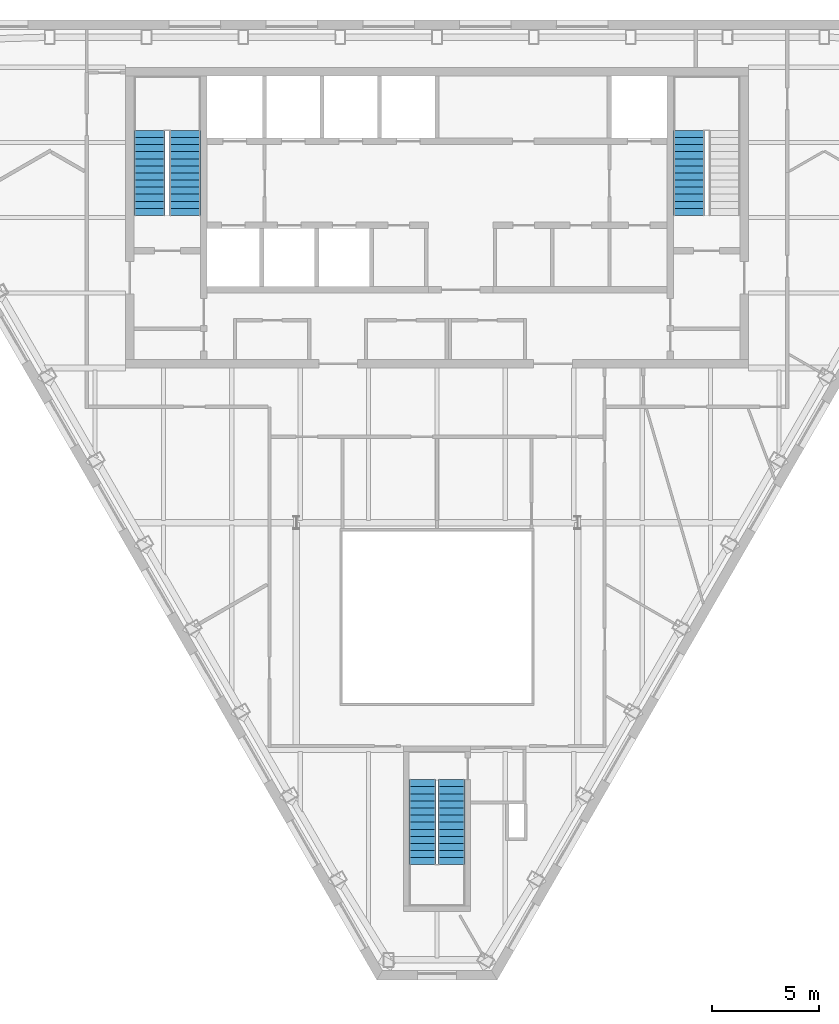
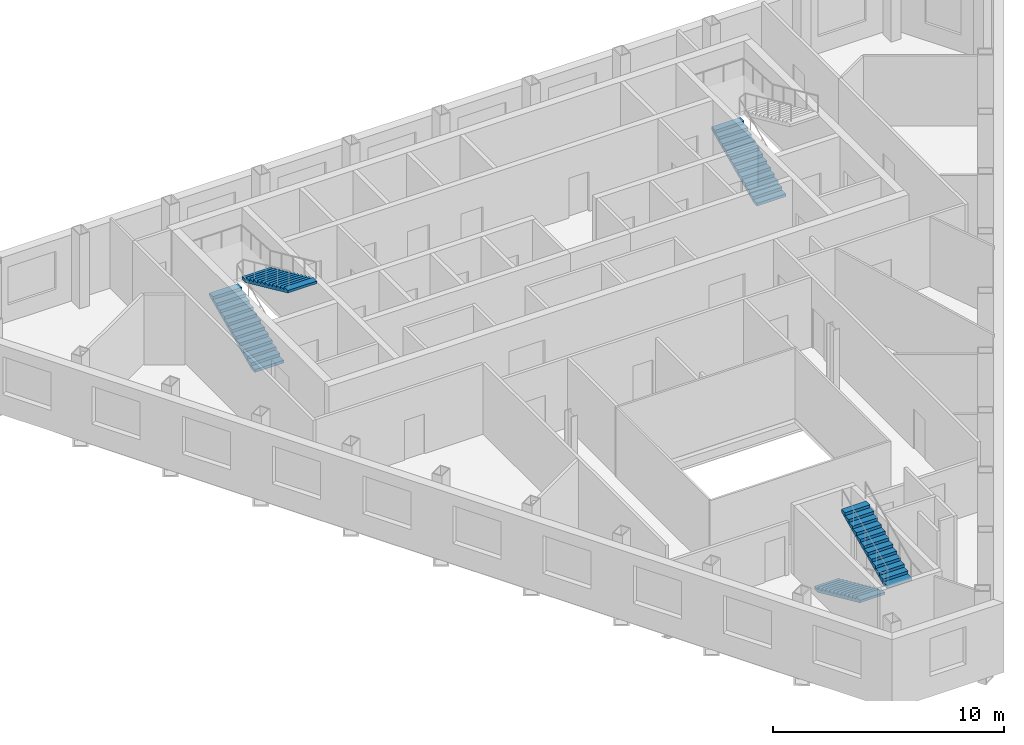
# One storey, part 8 of 10: 5 stair flights, 3 elements without a shape of their own.
"""IFC4 building model written with IfcOpenShell, lengths in metres."""

from ifc_helpers import new_model, si_unit, direction, frame, origin, place, context, subcontext, project, spatial, polygons, material, type_object, element, aggregate, save


model = new_model("IFC4")

# Units and contexts
model_context = context("Model", 3, precision=1e-05, world=origin(), true_north=direction((0.0, 1.0)))
body_context = subcontext(model_context, "Body", "Model", "MODEL_VIEW")
ifc_project = project(units=[si_unit("LENGTHUNIT", "METRE"), si_unit("AREAUNIT", "SQUARE_METRE"), si_unit("VOLUMEUNIT", "CUBIC_METRE"), si_unit("PLANEANGLEUNIT", "RADIAN"), si_unit("MASSUNIT", "GRAM", prefix="KILO")], contexts=[model_context])

# Site, building, storey
site_placement = place(None, origin())
site = spatial("IfcSite", under=ifc_project, at=site_placement, CompositionType="ELEMENT")
building_placement = place(site_placement, origin())
building = spatial("IfcBuilding", under=site, at=building_placement, Name="Njiva Tower", CompositionType="ELEMENT")
storey_placement = place(building_placement, frame((0.0, 0.0, 268.8)))
storey = spatial("IfcBuildingStorey", under=building, at=storey_placement, Name="L61", CompositionType="ELEMENT", Elevation=268.8)

# Stair, stair flights
ifc_material = material(Name="Concrete C40/50", Category="concrete")
stair_type_1 = type_object("IfcStairType", Name="ST1 Exit stair 1250", PredefinedType="HALF_TURN_STAIR", material=ifc_material)
stair_1_placement = place(storey_placement, origin())
stair_1 = element("IfcStair", 1, at=stair_1_placement, inside=storey, type_object=stair_type_1, Name="Stair C", PredefinedType="HALF_TURN_STAIR")
stair_flight_type_1 = type_object("IfcStairFlightType", Name="FL1 Stair flight 1250", PredefinedType="STRAIGHT", material=ifc_material)
stair_flight_1_placement = place(storey_placement, frame((-0.675, -15.16, 0.0), z_axis=(0.0, 0.0, 1.0), x_axis=(0.0, -1.0, 0.0)))
stair_flight_1 = element("IfcStairFlight", 2, at=stair_flight_1_placement, type_object=stair_flight_type_1, Name="ST-C flight 1", NumberOfRisers=13, NumberOfTreads=12, PredefinedType="STRAIGHT", RiserHeight=0.15, TreadLength=0.33, context=body_context, shape_type="Tessellation", body=[
    polygons([(0.0, 0.625, 0.0), (0.0, 0.3125, 0.0), (0.0, 0.0, 0.0), (0.0, -0.3125, 0.0), (0.0, -0.625, 0.0), (0.0, 0.625, 0.15), (0.0, 0.3125, 0.15), (0.0, 0.0, 0.15), (0.0, -0.3125, 0.15), (0.0, -0.625, 0.15), (0.33, 0.625, 0.15), (0.33, 0.3125, 0.15), (0.33, 0.0, 0.15), (0.33, -0.3125, 0.15), (0.33, -0.625, 0.15), (0.33, 0.625, 0.3), (0.33, 0.3125, 0.3), (0.33, 0.0, 0.3), (0.33, -0.3125, 0.3), (0.33, -0.625, 0.3), (0.66, 0.625, 0.3), (0.66, 0.3125, 0.3), (0.66, 0.0, 0.3), (0.66, -0.3125, 0.3), (0.66, -0.625, 0.3), (0.66, 0.625, 0.45), (0.66, 0.3125, 0.45), (0.66, 0.0, 0.45), (0.66, -0.3125, 0.45), (0.66, -0.625, 0.45), (0.99, 0.625, 0.45), (0.99, 0.3125, 0.45), (0.99, 0.0, 0.45), (0.99, -0.3125, 0.45), (0.99, -0.625, 0.45), (0.99, 0.625, 0.6), (0.99, 0.3125, 0.6), (0.99, 0.0, 0.6), (0.99, -0.3125, 0.6), (0.99, -0.625, 0.6), (1.32, 0.625, 0.6), (1.32, 0.3125, 0.6), (1.32, 0.0, 0.6), (1.32, -0.3125, 0.6), (1.32, -0.625, 0.6), (1.32, 0.625, 0.75), (1.32, 0.3125, 0.75), (1.32, 0.0, 0.75), (1.32, -0.3125, 0.75), (1.32, -0.625, 0.75), (1.65, 0.625, 0.75), (1.65, 0.3125, 0.75), (1.65, 0.0, 0.75), (1.65, -0.3125, 0.75), (1.65, -0.625, 0.75), (1.65, 0.625, 0.9), (1.65, 0.3125, 0.9), (1.65, 0.0, 0.9), (1.65, -0.3125, 0.9), (1.65, -0.625, 0.9), (1.98, 0.625, 0.9), (1.98, 0.3125, 0.9), (1.98, 0.0, 0.9), (1.98, -0.3125, 0.9), (1.98, -0.625, 0.9), (1.98, 0.625, 1.05), (1.98, 0.3125, 1.05), (1.98, 0.0, 1.05), (1.98, -0.3125, 1.05), (1.98, -0.625, 1.05), (2.31, 0.625, 1.05), (2.31, 0.3125, 1.05), (2.31, 0.0, 1.05), (2.31, -0.3125, 1.05), (2.31, -0.625, 1.05), (2.31, 0.625, 1.2), (2.31, 0.3125, 1.2), (2.31, 0.0, 1.2), (2.31, -0.3125, 1.2), (2.31, -0.625, 1.2), (2.64, 0.625, 1.2), (2.64, 0.3125, 1.2), (2.64, 0.0, 1.2), (2.64, -0.3125, 1.2), (2.64, -0.625, 1.2), (2.64, 0.625, 1.35), (2.64, 0.3125, 1.35), (2.64, 0.0, 1.35), (2.64, -0.3125, 1.35), (2.64, -0.625, 1.35), (2.97, 0.625, 1.35), (2.97, 0.3125, 1.35), (2.97, 0.0, 1.35), (2.97, -0.3125, 1.35), (2.97, -0.625, 1.35), (2.97, 0.625, 1.5), (2.97, 0.3125, 1.5), (2.97, 0.0, 1.5), (2.97, -0.3125, 1.5), (2.97, -0.625, 1.5), (3.3, 0.625, 1.5), (3.3, 0.3125, 1.5), (3.3, 0.0, 1.5), (3.3, -0.3125, 1.5), (3.3, -0.625, 1.5), (3.3, 0.625, 1.65), (3.3, 0.3125, 1.65), (3.3, 0.0, 1.65), (3.3, -0.3125, 1.65), (3.3, -0.625, 1.65), (3.63, 0.625, 1.65), (3.63, 0.3125, 1.65), (3.63, 0.0, 1.65), (3.63, -0.3125, 1.65), (3.63, -0.625, 1.65), (3.63, 0.625, 1.8), (3.63, 0.3125, 1.8), (3.63, 0.0, 1.8), (3.63, -0.3125, 1.8), (3.63, -0.625, 1.8), (3.96, 0.625, 1.8), (3.96, 0.3125, 1.8), (3.96, 0.0, 1.8), (3.96, -0.3125, 1.8), (3.96, -0.625, 1.8), (3.96, 0.625, 1.6682), (3.96, 0.3125, 1.6682), (3.96, 0.0, 1.6682), (3.96, -0.3125, 1.6682), (3.96, -0.625, 1.6682), (0.29, 0.625, 0.0), (0.29, 0.3125, 0.0), (0.29, 0.0, 0.0), (0.29, -0.3125, 0.0), (0.29, -0.625, 0.0)], [[[1, 6, 11, 16, 21, 26, 31, 36, 41, 46, 51, 56, 61, 66, 71, 76, 81, 86, 91, 96, 101, 106, 111, 116, 121, 126, 131]], [[135, 130, 125, 120, 115, 110, 105, 100, 95, 90, 85, 80, 75, 70, 65, 60, 55, 50, 45, 40, 35, 30, 25, 20, 15, 10, 5]], [[6, 1, 2, 7]], [[7, 2, 3, 8]], [[8, 3, 4, 9]], [[9, 4, 5, 10]], [[11, 6, 7, 12]], [[12, 7, 8, 13]], [[13, 8, 9, 14]], [[14, 9, 10, 15]], [[16, 11, 12, 17]], [[17, 12, 13, 18]], [[18, 13, 14, 19]], [[19, 14, 15, 20]], [[21, 16, 17, 22]], [[22, 17, 18, 23]], [[23, 18, 19, 24]], [[24, 19, 20, 25]], [[26, 21, 22, 27]], [[27, 22, 23, 28]], [[28, 23, 24, 29]], [[29, 24, 25, 30]], [[31, 26, 27, 32]], [[32, 27, 28, 33]], [[33, 28, 29, 34]], [[34, 29, 30, 35]], [[36, 31, 32, 37]], [[37, 32, 33, 38]], [[38, 33, 34, 39]], [[39, 34, 35, 40]], [[41, 36, 37, 42]], [[42, 37, 38, 43]], [[43, 38, 39, 44]], [[44, 39, 40, 45]], [[46, 41, 42, 47]], [[47, 42, 43, 48]], [[48, 43, 44, 49]], [[49, 44, 45, 50]], [[51, 46, 47, 52]], [[52, 47, 48, 53]], [[53, 48, 49, 54]], [[54, 49, 50, 55]], [[56, 51, 52, 57]], [[57, 52, 53, 58]], [[58, 53, 54, 59]], [[59, 54, 55, 60]], [[61, 56, 57, 62]], [[62, 57, 58, 63]], [[63, 58, 59, 64]], [[64, 59, 60, 65]], [[66, 61, 62, 67]], [[67, 62, 63, 68]], [[68, 63, 64, 69]], [[69, 64, 65, 70]], [[71, 66, 67, 72]], [[72, 67, 68, 73]], [[73, 68, 69, 74]], [[74, 69, 70, 75]], [[76, 71, 72, 77]], [[77, 72, 73, 78]], [[78, 73, 74, 79]], [[79, 74, 75, 80]], [[81, 76, 77, 82]], [[82, 77, 78, 83]], [[83, 78, 79, 84]], [[84, 79, 80, 85]], [[86, 81, 82, 87]], [[87, 82, 83, 88]], [[88, 83, 84, 89]], [[89, 84, 85, 90]], [[91, 86, 87, 92]], [[92, 87, 88, 93]], [[93, 88, 89, 94]], [[94, 89, 90, 95]], [[96, 91, 92, 97]], [[97, 92, 93, 98]], [[98, 93, 94, 99]], [[99, 94, 95, 100]], [[101, 96, 97, 102]], [[102, 97, 98, 103]], [[103, 98, 99, 104]], [[104, 99, 100, 105]], [[106, 101, 102, 107]], [[107, 102, 103, 108]], [[108, 103, 104, 109]], [[109, 104, 105, 110]], [[111, 106, 107, 112]], [[112, 107, 108, 113]], [[113, 108, 109, 114]], [[114, 109, 110, 115]], [[116, 111, 112, 117]], [[117, 112, 113, 118]], [[118, 113, 114, 119]], [[119, 114, 115, 120]], [[121, 116, 117, 122]], [[122, 117, 118, 123]], [[123, 118, 119, 124]], [[124, 119, 120, 125]], [[126, 121, 122, 127]], [[127, 122, 123, 128]], [[128, 123, 124, 129]], [[129, 124, 125, 130]], [[131, 126, 127, 132]], [[132, 127, 128, 133]], [[133, 128, 129, 134]], [[134, 129, 130, 135]], [[1, 131, 132, 2]], [[2, 132, 133, 3]], [[3, 133, 134, 4]], [[4, 134, 135, 5]]], closed=True),
])
stair_flight_2_placement = place(storey_placement, frame((0.675, -19.12, 1.95), z_axis=(0.0, 0.0, 1.0), x_axis=(0.0, 1.0, 0.0)))
stair_flight_2 = element("IfcStairFlight", 3, at=stair_flight_2_placement, type_object=stair_flight_type_1, Name="ST-C flight 2", NumberOfRisers=13, NumberOfTreads=12, PredefinedType="STRAIGHT", RiserHeight=0.15, TreadLength=0.33, context=body_context, shape_type="Tessellation", body=[
    polygons([(0.0, 0.625, 0.0), (0.0, 0.3125, 0.0), (0.0, 0.0, 0.0), (0.0, -0.3125, 0.0), (0.0, -0.625, 0.0), (0.0, 0.625, 0.15), (0.0, 0.3125, 0.15), (0.0, 0.0, 0.15), (0.0, -0.3125, 0.15), (0.0, -0.625, 0.15), (0.33, 0.625, 0.15), (0.33, 0.3125, 0.15), (0.33, 0.0, 0.15), (0.33, -0.3125, 0.15), (0.33, -0.625, 0.15), (0.33, 0.625, 0.3), (0.33, 0.3125, 0.3), (0.33, 0.0, 0.3), (0.33, -0.3125, 0.3), (0.33, -0.625, 0.3), (0.66, 0.625, 0.3), (0.66, 0.3125, 0.3), (0.66, 0.0, 0.3), (0.66, -0.3125, 0.3), (0.66, -0.625, 0.3), (0.66, 0.625, 0.45), (0.66, 0.3125, 0.45), (0.66, 0.0, 0.45), (0.66, -0.3125, 0.45), (0.66, -0.625, 0.45), (0.99, 0.625, 0.45), (0.99, 0.3125, 0.45), (0.99, 0.0, 0.45), (0.99, -0.3125, 0.45), (0.99, -0.625, 0.45), (0.99, 0.625, 0.6), (0.99, 0.3125, 0.6), (0.99, 0.0, 0.6), (0.99, -0.3125, 0.6), (0.99, -0.625, 0.6), (1.32, 0.625, 0.6), (1.32, 0.3125, 0.6), (1.32, 0.0, 0.6), (1.32, -0.3125, 0.6), (1.32, -0.625, 0.6), (1.32, 0.625, 0.75), (1.32, 0.3125, 0.75), (1.32, 0.0, 0.75), (1.32, -0.3125, 0.75), (1.32, -0.625, 0.75), (1.65, 0.625, 0.75), (1.65, 0.3125, 0.75), (1.65, 0.0, 0.75), (1.65, -0.3125, 0.75), (1.65, -0.625, 0.75), (1.65, 0.625, 0.9), (1.65, 0.3125, 0.9), (1.65, 0.0, 0.9), (1.65, -0.3125, 0.9), (1.65, -0.625, 0.9), (1.98, 0.625, 0.9), (1.98, 0.3125, 0.9), (1.98, 0.0, 0.9), (1.98, -0.3125, 0.9), (1.98, -0.625, 0.9), (1.98, 0.625, 1.05), (1.98, 0.3125, 1.05), (1.98, 0.0, 1.05), (1.98, -0.3125, 1.05), (1.98, -0.625, 1.05), (2.31, 0.625, 1.05), (2.31, 0.3125, 1.05), (2.31, 0.0, 1.05), (2.31, -0.3125, 1.05), (2.31, -0.625, 1.05), (2.31, 0.625, 1.2), (2.31, 0.3125, 1.2), (2.31, 0.0, 1.2), (2.31, -0.3125, 1.2), (2.31, -0.625, 1.2), (2.64, 0.625, 1.2), (2.64, 0.3125, 1.2), (2.64, 0.0, 1.2), (2.64, -0.3125, 1.2), (2.64, -0.625, 1.2), (2.64, 0.625, 1.35), (2.64, 0.3125, 1.35), (2.64, 0.0, 1.35), (2.64, -0.3125, 1.35), (2.64, -0.625, 1.35), (2.97, 0.625, 1.35), (2.97, 0.3125, 1.35), (2.97, 0.0, 1.35), (2.97, -0.3125, 1.35), (2.97, -0.625, 1.35), (2.97, 0.625, 1.5), (2.97, 0.3125, 1.5), (2.97, 0.0, 1.5), (2.97, -0.3125, 1.5), (2.97, -0.625, 1.5), (3.3, 0.625, 1.5), (3.3, 0.3125, 1.5), (3.3, 0.0, 1.5), (3.3, -0.3125, 1.5), (3.3, -0.625, 1.5), (3.3, 0.625, 1.65), (3.3, 0.3125, 1.65), (3.3, 0.0, 1.65), (3.3, -0.3125, 1.65), (3.3, -0.625, 1.65), (3.63, 0.625, 1.65), (3.63, 0.3125, 1.65), (3.63, 0.0, 1.65), (3.63, -0.3125, 1.65), (3.63, -0.625, 1.65), (3.63, 0.625, 1.8), (3.63, 0.3125, 1.8), (3.63, 0.0, 1.8), (3.63, -0.3125, 1.8), (3.63, -0.625, 1.8), (3.96, 0.625, 1.8), (3.96, 0.3125, 1.8), (3.96, 0.0, 1.8), (3.96, -0.3125, 1.8), (3.96, -0.625, 1.8), (3.96, 0.625, 1.6682), (3.96, 0.3125, 1.6682), (3.96, 0.0, 1.6682), (3.96, -0.3125, 1.6682), (3.96, -0.625, 1.6682), (0.29, 0.625, 0.0), (0.29, 0.3125, 0.0), (0.29, 0.0, 0.0), (0.29, -0.3125, 0.0), (0.29, -0.625, 0.0)], [[[1, 6, 11, 16, 21, 26, 31, 36, 41, 46, 51, 56, 61, 66, 71, 76, 81, 86, 91, 96, 101, 106, 111, 116, 121, 126, 131]], [[135, 130, 125, 120, 115, 110, 105, 100, 95, 90, 85, 80, 75, 70, 65, 60, 55, 50, 45, 40, 35, 30, 25, 20, 15, 10, 5]], [[6, 1, 2, 7]], [[7, 2, 3, 8]], [[8, 3, 4, 9]], [[9, 4, 5, 10]], [[11, 6, 7, 12]], [[12, 7, 8, 13]], [[13, 8, 9, 14]], [[14, 9, 10, 15]], [[16, 11, 12, 17]], [[17, 12, 13, 18]], [[18, 13, 14, 19]], [[19, 14, 15, 20]], [[21, 16, 17, 22]], [[22, 17, 18, 23]], [[23, 18, 19, 24]], [[24, 19, 20, 25]], [[26, 21, 22, 27]], [[27, 22, 23, 28]], [[28, 23, 24, 29]], [[29, 24, 25, 30]], [[31, 26, 27, 32]], [[32, 27, 28, 33]], [[33, 28, 29, 34]], [[34, 29, 30, 35]], [[36, 31, 32, 37]], [[37, 32, 33, 38]], [[38, 33, 34, 39]], [[39, 34, 35, 40]], [[41, 36, 37, 42]], [[42, 37, 38, 43]], [[43, 38, 39, 44]], [[44, 39, 40, 45]], [[46, 41, 42, 47]], [[47, 42, 43, 48]], [[48, 43, 44, 49]], [[49, 44, 45, 50]], [[51, 46, 47, 52]], [[52, 47, 48, 53]], [[53, 48, 49, 54]], [[54, 49, 50, 55]], [[56, 51, 52, 57]], [[57, 52, 53, 58]], [[58, 53, 54, 59]], [[59, 54, 55, 60]], [[61, 56, 57, 62]], [[62, 57, 58, 63]], [[63, 58, 59, 64]], [[64, 59, 60, 65]], [[66, 61, 62, 67]], [[67, 62, 63, 68]], [[68, 63, 64, 69]], [[69, 64, 65, 70]], [[71, 66, 67, 72]], [[72, 67, 68, 73]], [[73, 68, 69, 74]], [[74, 69, 70, 75]], [[76, 71, 72, 77]], [[77, 72, 73, 78]], [[78, 73, 74, 79]], [[79, 74, 75, 80]], [[81, 76, 77, 82]], [[82, 77, 78, 83]], [[83, 78, 79, 84]], [[84, 79, 80, 85]], [[86, 81, 82, 87]], [[87, 82, 83, 88]], [[88, 83, 84, 89]], [[89, 84, 85, 90]], [[91, 86, 87, 92]], [[92, 87, 88, 93]], [[93, 88, 89, 94]], [[94, 89, 90, 95]], [[96, 91, 92, 97]], [[97, 92, 93, 98]], [[98, 93, 94, 99]], [[99, 94, 95, 100]], [[101, 96, 97, 102]], [[102, 97, 98, 103]], [[103, 98, 99, 104]], [[104, 99, 100, 105]], [[106, 101, 102, 107]], [[107, 102, 103, 108]], [[108, 103, 104, 109]], [[109, 104, 105, 110]], [[111, 106, 107, 112]], [[112, 107, 108, 113]], [[113, 108, 109, 114]], [[114, 109, 110, 115]], [[116, 111, 112, 117]], [[117, 112, 113, 118]], [[118, 113, 114, 119]], [[119, 114, 115, 120]], [[121, 116, 117, 122]], [[122, 117, 118, 123]], [[123, 118, 119, 124]], [[124, 119, 120, 125]], [[126, 121, 122, 127]], [[127, 122, 123, 128]], [[128, 123, 124, 129]], [[129, 124, 125, 130]], [[131, 126, 127, 132]], [[132, 127, 128, 133]], [[133, 128, 129, 134]], [[134, 129, 130, 135]], [[1, 131, 132, 2]], [[2, 132, 133, 3]], [[3, 133, 134, 4]], [[4, 134, 135, 5]]], closed=True),
])
aggregate(stair_1, [stair_flight_1, stair_flight_2])

stair_type_2 = type_object("IfcStairType", Name="ST3 Exit stair 1450", PredefinedType="HALF_TURN_STAIR", material=ifc_material)
stair_2_placement = place(storey_placement, origin())
stair_2 = element("IfcStair", 4, at=stair_2_placement, inside=storey, type_object=stair_type_2, Name="Stair A", PredefinedType="HALF_TURN_STAIR")
stair_flight_type_2 = type_object("IfcStairFlightType", Name="FL3 Stair flight 1450", PredefinedType="STRAIGHT", material=ifc_material)
stair_flight_3_placement = place(storey_placement, frame((-13.375, 11.1, 0.0), z_axis=(0.0, 0.0, 1.0), x_axis=(0.0, 1.0, 0.0)))
stair_flight_3 = element("IfcStairFlight", 5, at=stair_flight_3_placement, type_object=stair_flight_type_2, Name="ST-A flight 1", NumberOfRisers=13, NumberOfTreads=12, PredefinedType="STRAIGHT", RiserHeight=0.15, TreadLength=0.33, context=body_context, shape_type="Tessellation", body=[
    polygons([(0.0, 0.725, 0.0), (0.0, 0.3625, 0.0), (0.0, 0.0, 0.0), (0.0, -0.3625, 0.0), (0.0, -0.725, 0.0), (0.0, 0.725, 0.15), (0.0, 0.3625, 0.15), (0.0, 0.0, 0.15), (0.0, -0.3625, 0.15), (0.0, -0.725, 0.15), (0.33, 0.725, 0.15), (0.33, 0.3625, 0.15), (0.33, 0.0, 0.15), (0.33, -0.3625, 0.15), (0.33, -0.725, 0.15), (0.33, 0.725, 0.3), (0.33, 0.3625, 0.3), (0.33, 0.0, 0.3), (0.33, -0.3625, 0.3), (0.33, -0.725, 0.3), (0.66, 0.725, 0.3), (0.66, 0.3625, 0.3), (0.66, 0.0, 0.3), (0.66, -0.3625, 0.3), (0.66, -0.725, 0.3), (0.66, 0.725, 0.45), (0.66, 0.3625, 0.45), (0.66, 0.0, 0.45), (0.66, -0.3625, 0.45), (0.66, -0.725, 0.45), (0.99, 0.725, 0.45), (0.99, 0.3625, 0.45), (0.99, 0.0, 0.45), (0.99, -0.3625, 0.45), (0.99, -0.725, 0.45), (0.99, 0.725, 0.6), (0.99, 0.3625, 0.6), (0.99, 0.0, 0.6), (0.99, -0.3625, 0.6), (0.99, -0.725, 0.6), (1.32, 0.725, 0.6), (1.32, 0.3625, 0.6), (1.32, 0.0, 0.6), (1.32, -0.3625, 0.6), (1.32, -0.725, 0.6), (1.32, 0.725, 0.75), (1.32, 0.3625, 0.75), (1.32, 0.0, 0.75), (1.32, -0.3625, 0.75), (1.32, -0.725, 0.75), (1.65, 0.725, 0.75), (1.65, 0.3625, 0.75), (1.65, 0.0, 0.75), (1.65, -0.3625, 0.75), (1.65, -0.725, 0.75), (1.65, 0.725, 0.9), (1.65, 0.3625, 0.9), (1.65, 0.0, 0.9), (1.65, -0.3625, 0.9), (1.65, -0.725, 0.9), (1.98, 0.725, 0.9), (1.98, 0.3625, 0.9), (1.98, 0.0, 0.9), (1.98, -0.3625, 0.9), (1.98, -0.725, 0.9), (1.98, 0.725, 1.05), (1.98, 0.3625, 1.05), (1.98, 0.0, 1.05), (1.98, -0.3625, 1.05), (1.98, -0.725, 1.05), (2.31, 0.725, 1.05), (2.31, 0.3625, 1.05), (2.31, 0.0, 1.05), (2.31, -0.3625, 1.05), (2.31, -0.725, 1.05), (2.31, 0.725, 1.2), (2.31, 0.3625, 1.2), (2.31, 0.0, 1.2), (2.31, -0.3625, 1.2), (2.31, -0.725, 1.2), (2.64, 0.725, 1.2), (2.64, 0.3625, 1.2), (2.64, 0.0, 1.2), (2.64, -0.3625, 1.2), (2.64, -0.725, 1.2), (2.64, 0.725, 1.35), (2.64, 0.3625, 1.35), (2.64, 0.0, 1.35), (2.64, -0.3625, 1.35), (2.64, -0.725, 1.35), (2.97, 0.725, 1.35), (2.97, 0.3625, 1.35), (2.97, 0.0, 1.35), (2.97, -0.3625, 1.35), (2.97, -0.725, 1.35), (2.97, 0.725, 1.5), (2.97, 0.3625, 1.5), (2.97, 0.0, 1.5), (2.97, -0.3625, 1.5), (2.97, -0.725, 1.5), (3.3, 0.725, 1.5), (3.3, 0.3625, 1.5), (3.3, 0.0, 1.5), (3.3, -0.3625, 1.5), (3.3, -0.725, 1.5), (3.3, 0.725, 1.65), (3.3, 0.3625, 1.65), (3.3, 0.0, 1.65), (3.3, -0.3625, 1.65), (3.3, -0.725, 1.65), (3.63, 0.725, 1.65), (3.63, 0.3625, 1.65), (3.63, 0.0, 1.65), (3.63, -0.3625, 1.65), (3.63, -0.725, 1.65), (3.63, 0.725, 1.8), (3.63, 0.3625, 1.8), (3.63, 0.0, 1.8), (3.63, -0.3625, 1.8), (3.63, -0.725, 1.8), (3.96, 0.725, 1.8), (3.96, 0.3625, 1.8), (3.96, 0.0, 1.8), (3.96, -0.3625, 1.8), (3.96, -0.725, 1.8), (3.96, 0.725, 1.6682), (3.96, 0.3625, 1.6682), (3.96, 0.0, 1.6682), (3.96, -0.3625, 1.6682), (3.96, -0.725, 1.6682), (0.29, 0.725, 0.0), (0.29, 0.3625, 0.0), (0.29, 0.0, 0.0), (0.29, -0.3625, 0.0), (0.29, -0.725, 0.0)], [[[1, 6, 11, 16, 21, 26, 31, 36, 41, 46, 51, 56, 61, 66, 71, 76, 81, 86, 91, 96, 101, 106, 111, 116, 121, 126, 131]], [[135, 130, 125, 120, 115, 110, 105, 100, 95, 90, 85, 80, 75, 70, 65, 60, 55, 50, 45, 40, 35, 30, 25, 20, 15, 10, 5]], [[6, 1, 2, 7]], [[7, 2, 3, 8]], [[8, 3, 4, 9]], [[9, 4, 5, 10]], [[11, 6, 7, 12]], [[12, 7, 8, 13]], [[13, 8, 9, 14]], [[14, 9, 10, 15]], [[16, 11, 12, 17]], [[17, 12, 13, 18]], [[18, 13, 14, 19]], [[19, 14, 15, 20]], [[21, 16, 17, 22]], [[22, 17, 18, 23]], [[23, 18, 19, 24]], [[24, 19, 20, 25]], [[26, 21, 22, 27]], [[27, 22, 23, 28]], [[28, 23, 24, 29]], [[29, 24, 25, 30]], [[31, 26, 27, 32]], [[32, 27, 28, 33]], [[33, 28, 29, 34]], [[34, 29, 30, 35]], [[36, 31, 32, 37]], [[37, 32, 33, 38]], [[38, 33, 34, 39]], [[39, 34, 35, 40]], [[41, 36, 37, 42]], [[42, 37, 38, 43]], [[43, 38, 39, 44]], [[44, 39, 40, 45]], [[46, 41, 42, 47]], [[47, 42, 43, 48]], [[48, 43, 44, 49]], [[49, 44, 45, 50]], [[51, 46, 47, 52]], [[52, 47, 48, 53]], [[53, 48, 49, 54]], [[54, 49, 50, 55]], [[56, 51, 52, 57]], [[57, 52, 53, 58]], [[58, 53, 54, 59]], [[59, 54, 55, 60]], [[61, 56, 57, 62]], [[62, 57, 58, 63]], [[63, 58, 59, 64]], [[64, 59, 60, 65]], [[66, 61, 62, 67]], [[67, 62, 63, 68]], [[68, 63, 64, 69]], [[69, 64, 65, 70]], [[71, 66, 67, 72]], [[72, 67, 68, 73]], [[73, 68, 69, 74]], [[74, 69, 70, 75]], [[76, 71, 72, 77]], [[77, 72, 73, 78]], [[78, 73, 74, 79]], [[79, 74, 75, 80]], [[81, 76, 77, 82]], [[82, 77, 78, 83]], [[83, 78, 79, 84]], [[84, 79, 80, 85]], [[86, 81, 82, 87]], [[87, 82, 83, 88]], [[88, 83, 84, 89]], [[89, 84, 85, 90]], [[91, 86, 87, 92]], [[92, 87, 88, 93]], [[93, 88, 89, 94]], [[94, 89, 90, 95]], [[96, 91, 92, 97]], [[97, 92, 93, 98]], [[98, 93, 94, 99]], [[99, 94, 95, 100]], [[101, 96, 97, 102]], [[102, 97, 98, 103]], [[103, 98, 99, 104]], [[104, 99, 100, 105]], [[106, 101, 102, 107]], [[107, 102, 103, 108]], [[108, 103, 104, 109]], [[109, 104, 105, 110]], [[111, 106, 107, 112]], [[112, 107, 108, 113]], [[113, 108, 109, 114]], [[114, 109, 110, 115]], [[116, 111, 112, 117]], [[117, 112, 113, 118]], [[118, 113, 114, 119]], [[119, 114, 115, 120]], [[121, 116, 117, 122]], [[122, 117, 118, 123]], [[123, 118, 119, 124]], [[124, 119, 120, 125]], [[126, 121, 122, 127]], [[127, 122, 123, 128]], [[128, 123, 124, 129]], [[129, 124, 125, 130]], [[131, 126, 127, 132]], [[132, 127, 128, 133]], [[133, 128, 129, 134]], [[134, 129, 130, 135]], [[1, 131, 132, 2]], [[2, 132, 133, 3]], [[3, 133, 134, 4]], [[4, 134, 135, 5]]], closed=True),
])
stair_flight_4_placement = place(storey_placement, frame((-11.725, 15.06, 1.95), z_axis=(0.0, 0.0, 1.0), x_axis=(0.0, -1.0, 0.0)))
stair_flight_4 = element("IfcStairFlight", 6, at=stair_flight_4_placement, type_object=stair_flight_type_2, Name="ST-A flight 2", NumberOfRisers=13, NumberOfTreads=12, PredefinedType="STRAIGHT", RiserHeight=0.15, TreadLength=0.33, context=body_context, shape_type="Tessellation", body=[
    polygons([(0.0, 0.725, 0.0), (0.0, 0.3625, 0.0), (0.0, 0.0, 0.0), (0.0, -0.3625, 0.0), (0.0, -0.725, 0.0), (0.0, 0.725, 0.15), (0.0, 0.3625, 0.15), (0.0, 0.0, 0.15), (0.0, -0.3625, 0.15), (0.0, -0.725, 0.15), (0.33, 0.725, 0.15), (0.33, 0.3625, 0.15), (0.33, 0.0, 0.15), (0.33, -0.3625, 0.15), (0.33, -0.725, 0.15), (0.33, 0.725, 0.3), (0.33, 0.3625, 0.3), (0.33, 0.0, 0.3), (0.33, -0.3625, 0.3), (0.33, -0.725, 0.3), (0.66, 0.725, 0.3), (0.66, 0.3625, 0.3), (0.66, 0.0, 0.3), (0.66, -0.3625, 0.3), (0.66, -0.725, 0.3), (0.66, 0.725, 0.45), (0.66, 0.3625, 0.45), (0.66, 0.0, 0.45), (0.66, -0.3625, 0.45), (0.66, -0.725, 0.45), (0.99, 0.725, 0.45), (0.99, 0.3625, 0.45), (0.99, 0.0, 0.45), (0.99, -0.3625, 0.45), (0.99, -0.725, 0.45), (0.99, 0.725, 0.6), (0.99, 0.3625, 0.6), (0.99, 0.0, 0.6), (0.99, -0.3625, 0.6), (0.99, -0.725, 0.6), (1.32, 0.725, 0.6), (1.32, 0.3625, 0.6), (1.32, 0.0, 0.6), (1.32, -0.3625, 0.6), (1.32, -0.725, 0.6), (1.32, 0.725, 0.75), (1.32, 0.3625, 0.75), (1.32, 0.0, 0.75), (1.32, -0.3625, 0.75), (1.32, -0.725, 0.75), (1.65, 0.725, 0.75), (1.65, 0.3625, 0.75), (1.65, 0.0, 0.75), (1.65, -0.3625, 0.75), (1.65, -0.725, 0.75), (1.65, 0.725, 0.9), (1.65, 0.3625, 0.9), (1.65, 0.0, 0.9), (1.65, -0.3625, 0.9), (1.65, -0.725, 0.9), (1.98, 0.725, 0.9), (1.98, 0.3625, 0.9), (1.98, 0.0, 0.9), (1.98, -0.3625, 0.9), (1.98, -0.725, 0.9), (1.98, 0.725, 1.05), (1.98, 0.3625, 1.05), (1.98, 0.0, 1.05), (1.98, -0.3625, 1.05), (1.98, -0.725, 1.05), (2.31, 0.725, 1.05), (2.31, 0.3625, 1.05), (2.31, 0.0, 1.05), (2.31, -0.3625, 1.05), (2.31, -0.725, 1.05), (2.31, 0.725, 1.2), (2.31, 0.3625, 1.2), (2.31, 0.0, 1.2), (2.31, -0.3625, 1.2), (2.31, -0.725, 1.2), (2.64, 0.725, 1.2), (2.64, 0.3625, 1.2), (2.64, 0.0, 1.2), (2.64, -0.3625, 1.2), (2.64, -0.725, 1.2), (2.64, 0.725, 1.35), (2.64, 0.3625, 1.35), (2.64, 0.0, 1.35), (2.64, -0.3625, 1.35), (2.64, -0.725, 1.35), (2.97, 0.725, 1.35), (2.97, 0.3625, 1.35), (2.97, 0.0, 1.35), (2.97, -0.3625, 1.35), (2.97, -0.725, 1.35), (2.97, 0.725, 1.5), (2.97, 0.3625, 1.5), (2.97, 0.0, 1.5), (2.97, -0.3625, 1.5), (2.97, -0.725, 1.5), (3.3, 0.725, 1.5), (3.3, 0.3625, 1.5), (3.3, 0.0, 1.5), (3.3, -0.3625, 1.5), (3.3, -0.725, 1.5), (3.3, 0.725, 1.65), (3.3, 0.3625, 1.65), (3.3, 0.0, 1.65), (3.3, -0.3625, 1.65), (3.3, -0.725, 1.65), (3.63, 0.725, 1.65), (3.63, 0.3625, 1.65), (3.63, 0.0, 1.65), (3.63, -0.3625, 1.65), (3.63, -0.725, 1.65), (3.63, 0.725, 1.8), (3.63, 0.3625, 1.8), (3.63, 0.0, 1.8), (3.63, -0.3625, 1.8), (3.63, -0.725, 1.8), (3.96, 0.725, 1.8), (3.96, 0.3625, 1.8), (3.96, 0.0, 1.8), (3.96, -0.3625, 1.8), (3.96, -0.725, 1.8), (3.96, 0.725, 1.6682), (3.96, 0.3625, 1.6682), (3.96, 0.0, 1.6682), (3.96, -0.3625, 1.6682), (3.96, -0.725, 1.6682), (0.29, 0.725, 0.0), (0.29, 0.3625, 0.0), (0.29, 0.0, 0.0), (0.29, -0.3625, 0.0), (0.29, -0.725, 0.0)], [[[1, 6, 11, 16, 21, 26, 31, 36, 41, 46, 51, 56, 61, 66, 71, 76, 81, 86, 91, 96, 101, 106, 111, 116, 121, 126, 131]], [[135, 130, 125, 120, 115, 110, 105, 100, 95, 90, 85, 80, 75, 70, 65, 60, 55, 50, 45, 40, 35, 30, 25, 20, 15, 10, 5]], [[6, 1, 2, 7]], [[7, 2, 3, 8]], [[8, 3, 4, 9]], [[9, 4, 5, 10]], [[11, 6, 7, 12]], [[12, 7, 8, 13]], [[13, 8, 9, 14]], [[14, 9, 10, 15]], [[16, 11, 12, 17]], [[17, 12, 13, 18]], [[18, 13, 14, 19]], [[19, 14, 15, 20]], [[21, 16, 17, 22]], [[22, 17, 18, 23]], [[23, 18, 19, 24]], [[24, 19, 20, 25]], [[26, 21, 22, 27]], [[27, 22, 23, 28]], [[28, 23, 24, 29]], [[29, 24, 25, 30]], [[31, 26, 27, 32]], [[32, 27, 28, 33]], [[33, 28, 29, 34]], [[34, 29, 30, 35]], [[36, 31, 32, 37]], [[37, 32, 33, 38]], [[38, 33, 34, 39]], [[39, 34, 35, 40]], [[41, 36, 37, 42]], [[42, 37, 38, 43]], [[43, 38, 39, 44]], [[44, 39, 40, 45]], [[46, 41, 42, 47]], [[47, 42, 43, 48]], [[48, 43, 44, 49]], [[49, 44, 45, 50]], [[51, 46, 47, 52]], [[52, 47, 48, 53]], [[53, 48, 49, 54]], [[54, 49, 50, 55]], [[56, 51, 52, 57]], [[57, 52, 53, 58]], [[58, 53, 54, 59]], [[59, 54, 55, 60]], [[61, 56, 57, 62]], [[62, 57, 58, 63]], [[63, 58, 59, 64]], [[64, 59, 60, 65]], [[66, 61, 62, 67]], [[67, 62, 63, 68]], [[68, 63, 64, 69]], [[69, 64, 65, 70]], [[71, 66, 67, 72]], [[72, 67, 68, 73]], [[73, 68, 69, 74]], [[74, 69, 70, 75]], [[76, 71, 72, 77]], [[77, 72, 73, 78]], [[78, 73, 74, 79]], [[79, 74, 75, 80]], [[81, 76, 77, 82]], [[82, 77, 78, 83]], [[83, 78, 79, 84]], [[84, 79, 80, 85]], [[86, 81, 82, 87]], [[87, 82, 83, 88]], [[88, 83, 84, 89]], [[89, 84, 85, 90]], [[91, 86, 87, 92]], [[92, 87, 88, 93]], [[93, 88, 89, 94]], [[94, 89, 90, 95]], [[96, 91, 92, 97]], [[97, 92, 93, 98]], [[98, 93, 94, 99]], [[99, 94, 95, 100]], [[101, 96, 97, 102]], [[102, 97, 98, 103]], [[103, 98, 99, 104]], [[104, 99, 100, 105]], [[106, 101, 102, 107]], [[107, 102, 103, 108]], [[108, 103, 104, 109]], [[109, 104, 105, 110]], [[111, 106, 107, 112]], [[112, 107, 108, 113]], [[113, 108, 109, 114]], [[114, 109, 110, 115]], [[116, 111, 112, 117]], [[117, 112, 113, 118]], [[118, 113, 114, 119]], [[119, 114, 115, 120]], [[121, 116, 117, 122]], [[122, 117, 118, 123]], [[123, 118, 119, 124]], [[124, 119, 120, 125]], [[126, 121, 122, 127]], [[127, 122, 123, 128]], [[128, 123, 124, 129]], [[129, 124, 125, 130]], [[131, 126, 127, 132]], [[132, 127, 128, 133]], [[133, 128, 129, 134]], [[134, 129, 130, 135]], [[1, 131, 132, 2]], [[2, 132, 133, 3]], [[3, 133, 134, 4]], [[4, 134, 135, 5]]], closed=True),
])
aggregate(stair_2, [stair_flight_3, stair_flight_4])

# Stair, stair flight
stair_3_placement = place(storey_placement, origin())
stair_3 = element("IfcStair", 7, at=stair_3_placement, inside=storey, type_object=stair_type_2, Name="Stair B", PredefinedType="HALF_TURN_STAIR")
stair_flight_5_placement = place(storey_placement, frame((11.725, 11.1, 0.0), z_axis=(0.0, 0.0, 1.0), x_axis=(0.0, 1.0, 0.0)))
stair_flight_5 = element("IfcStairFlight", 8, at=stair_flight_5_placement, type_object=stair_flight_type_2, Name="ST-B flight 1", NumberOfRisers=13, NumberOfTreads=12, PredefinedType="STRAIGHT", RiserHeight=0.15, TreadLength=0.33, context=body_context, shape_type="Tessellation", body=[
    polygons([(0.0, 0.725, 0.0), (0.0, 0.3625, 0.0), (0.0, 0.0, 0.0), (0.0, -0.3625, 0.0), (0.0, -0.725, 0.0), (0.0, 0.725, 0.15), (0.0, 0.3625, 0.15), (0.0, 0.0, 0.15), (0.0, -0.3625, 0.15), (0.0, -0.725, 0.15), (0.33, 0.725, 0.15), (0.33, 0.3625, 0.15), (0.33, 0.0, 0.15), (0.33, -0.3625, 0.15), (0.33, -0.725, 0.15), (0.33, 0.725, 0.3), (0.33, 0.3625, 0.3), (0.33, 0.0, 0.3), (0.33, -0.3625, 0.3), (0.33, -0.725, 0.3), (0.66, 0.725, 0.3), (0.66, 0.3625, 0.3), (0.66, 0.0, 0.3), (0.66, -0.3625, 0.3), (0.66, -0.725, 0.3), (0.66, 0.725, 0.45), (0.66, 0.3625, 0.45), (0.66, 0.0, 0.45), (0.66, -0.3625, 0.45), (0.66, -0.725, 0.45), (0.99, 0.725, 0.45), (0.99, 0.3625, 0.45), (0.99, 0.0, 0.45), (0.99, -0.3625, 0.45), (0.99, -0.725, 0.45), (0.99, 0.725, 0.6), (0.99, 0.3625, 0.6), (0.99, 0.0, 0.6), (0.99, -0.3625, 0.6), (0.99, -0.725, 0.6), (1.32, 0.725, 0.6), (1.32, 0.3625, 0.6), (1.32, 0.0, 0.6), (1.32, -0.3625, 0.6), (1.32, -0.725, 0.6), (1.32, 0.725, 0.75), (1.32, 0.3625, 0.75), (1.32, 0.0, 0.75), (1.32, -0.3625, 0.75), (1.32, -0.725, 0.75), (1.65, 0.725, 0.75), (1.65, 0.3625, 0.75), (1.65, 0.0, 0.75), (1.65, -0.3625, 0.75), (1.65, -0.725, 0.75), (1.65, 0.725, 0.9), (1.65, 0.3625, 0.9), (1.65, 0.0, 0.9), (1.65, -0.3625, 0.9), (1.65, -0.725, 0.9), (1.98, 0.725, 0.9), (1.98, 0.3625, 0.9), (1.98, 0.0, 0.9), (1.98, -0.3625, 0.9), (1.98, -0.725, 0.9), (1.98, 0.725, 1.05), (1.98, 0.3625, 1.05), (1.98, 0.0, 1.05), (1.98, -0.3625, 1.05), (1.98, -0.725, 1.05), (2.31, 0.725, 1.05), (2.31, 0.3625, 1.05), (2.31, 0.0, 1.05), (2.31, -0.3625, 1.05), (2.31, -0.725, 1.05), (2.31, 0.725, 1.2), (2.31, 0.3625, 1.2), (2.31, 0.0, 1.2), (2.31, -0.3625, 1.2), (2.31, -0.725, 1.2), (2.64, 0.725, 1.2), (2.64, 0.3625, 1.2), (2.64, 0.0, 1.2), (2.64, -0.3625, 1.2), (2.64, -0.725, 1.2), (2.64, 0.725, 1.35), (2.64, 0.3625, 1.35), (2.64, 0.0, 1.35), (2.64, -0.3625, 1.35), (2.64, -0.725, 1.35), (2.97, 0.725, 1.35), (2.97, 0.3625, 1.35), (2.97, 0.0, 1.35), (2.97, -0.3625, 1.35), (2.97, -0.725, 1.35), (2.97, 0.725, 1.5), (2.97, 0.3625, 1.5), (2.97, 0.0, 1.5), (2.97, -0.3625, 1.5), (2.97, -0.725, 1.5), (3.3, 0.725, 1.5), (3.3, 0.3625, 1.5), (3.3, 0.0, 1.5), (3.3, -0.3625, 1.5), (3.3, -0.725, 1.5), (3.3, 0.725, 1.65), (3.3, 0.3625, 1.65), (3.3, 0.0, 1.65), (3.3, -0.3625, 1.65), (3.3, -0.725, 1.65), (3.63, 0.725, 1.65), (3.63, 0.3625, 1.65), (3.63, 0.0, 1.65), (3.63, -0.3625, 1.65), (3.63, -0.725, 1.65), (3.63, 0.725, 1.8), (3.63, 0.3625, 1.8), (3.63, 0.0, 1.8), (3.63, -0.3625, 1.8), (3.63, -0.725, 1.8), (3.96, 0.725, 1.8), (3.96, 0.3625, 1.8), (3.96, 0.0, 1.8), (3.96, -0.3625, 1.8), (3.96, -0.725, 1.8), (3.96, 0.725, 1.6682), (3.96, 0.3625, 1.6682), (3.96, 0.0, 1.6682), (3.96, -0.3625, 1.6682), (3.96, -0.725, 1.6682), (0.29, 0.725, 0.0), (0.29, 0.3625, 0.0), (0.29, 0.0, 0.0), (0.29, -0.3625, 0.0), (0.29, -0.725, 0.0)], [[[1, 6, 11, 16, 21, 26, 31, 36, 41, 46, 51, 56, 61, 66, 71, 76, 81, 86, 91, 96, 101, 106, 111, 116, 121, 126, 131]], [[135, 130, 125, 120, 115, 110, 105, 100, 95, 90, 85, 80, 75, 70, 65, 60, 55, 50, 45, 40, 35, 30, 25, 20, 15, 10, 5]], [[6, 1, 2, 7]], [[7, 2, 3, 8]], [[8, 3, 4, 9]], [[9, 4, 5, 10]], [[11, 6, 7, 12]], [[12, 7, 8, 13]], [[13, 8, 9, 14]], [[14, 9, 10, 15]], [[16, 11, 12, 17]], [[17, 12, 13, 18]], [[18, 13, 14, 19]], [[19, 14, 15, 20]], [[21, 16, 17, 22]], [[22, 17, 18, 23]], [[23, 18, 19, 24]], [[24, 19, 20, 25]], [[26, 21, 22, 27]], [[27, 22, 23, 28]], [[28, 23, 24, 29]], [[29, 24, 25, 30]], [[31, 26, 27, 32]], [[32, 27, 28, 33]], [[33, 28, 29, 34]], [[34, 29, 30, 35]], [[36, 31, 32, 37]], [[37, 32, 33, 38]], [[38, 33, 34, 39]], [[39, 34, 35, 40]], [[41, 36, 37, 42]], [[42, 37, 38, 43]], [[43, 38, 39, 44]], [[44, 39, 40, 45]], [[46, 41, 42, 47]], [[47, 42, 43, 48]], [[48, 43, 44, 49]], [[49, 44, 45, 50]], [[51, 46, 47, 52]], [[52, 47, 48, 53]], [[53, 48, 49, 54]], [[54, 49, 50, 55]], [[56, 51, 52, 57]], [[57, 52, 53, 58]], [[58, 53, 54, 59]], [[59, 54, 55, 60]], [[61, 56, 57, 62]], [[62, 57, 58, 63]], [[63, 58, 59, 64]], [[64, 59, 60, 65]], [[66, 61, 62, 67]], [[67, 62, 63, 68]], [[68, 63, 64, 69]], [[69, 64, 65, 70]], [[71, 66, 67, 72]], [[72, 67, 68, 73]], [[73, 68, 69, 74]], [[74, 69, 70, 75]], [[76, 71, 72, 77]], [[77, 72, 73, 78]], [[78, 73, 74, 79]], [[79, 74, 75, 80]], [[81, 76, 77, 82]], [[82, 77, 78, 83]], [[83, 78, 79, 84]], [[84, 79, 80, 85]], [[86, 81, 82, 87]], [[87, 82, 83, 88]], [[88, 83, 84, 89]], [[89, 84, 85, 90]], [[91, 86, 87, 92]], [[92, 87, 88, 93]], [[93, 88, 89, 94]], [[94, 89, 90, 95]], [[96, 91, 92, 97]], [[97, 92, 93, 98]], [[98, 93, 94, 99]], [[99, 94, 95, 100]], [[101, 96, 97, 102]], [[102, 97, 98, 103]], [[103, 98, 99, 104]], [[104, 99, 100, 105]], [[106, 101, 102, 107]], [[107, 102, 103, 108]], [[108, 103, 104, 109]], [[109, 104, 105, 110]], [[111, 106, 107, 112]], [[112, 107, 108, 113]], [[113, 108, 109, 114]], [[114, 109, 110, 115]], [[116, 111, 112, 117]], [[117, 112, 113, 118]], [[118, 113, 114, 119]], [[119, 114, 115, 120]], [[121, 116, 117, 122]], [[122, 117, 118, 123]], [[123, 118, 119, 124]], [[124, 119, 120, 125]], [[126, 121, 122, 127]], [[127, 122, 123, 128]], [[128, 123, 124, 129]], [[129, 124, 125, 130]], [[131, 126, 127, 132]], [[132, 127, 128, 133]], [[133, 128, 129, 134]], [[134, 129, 130, 135]], [[1, 131, 132, 2]], [[2, 132, 133, 3]], [[3, 133, 134, 4]], [[4, 134, 135, 5]]], closed=True),
])
aggregate(stair_3, [stair_flight_5])

save(model, "model.ifc")
